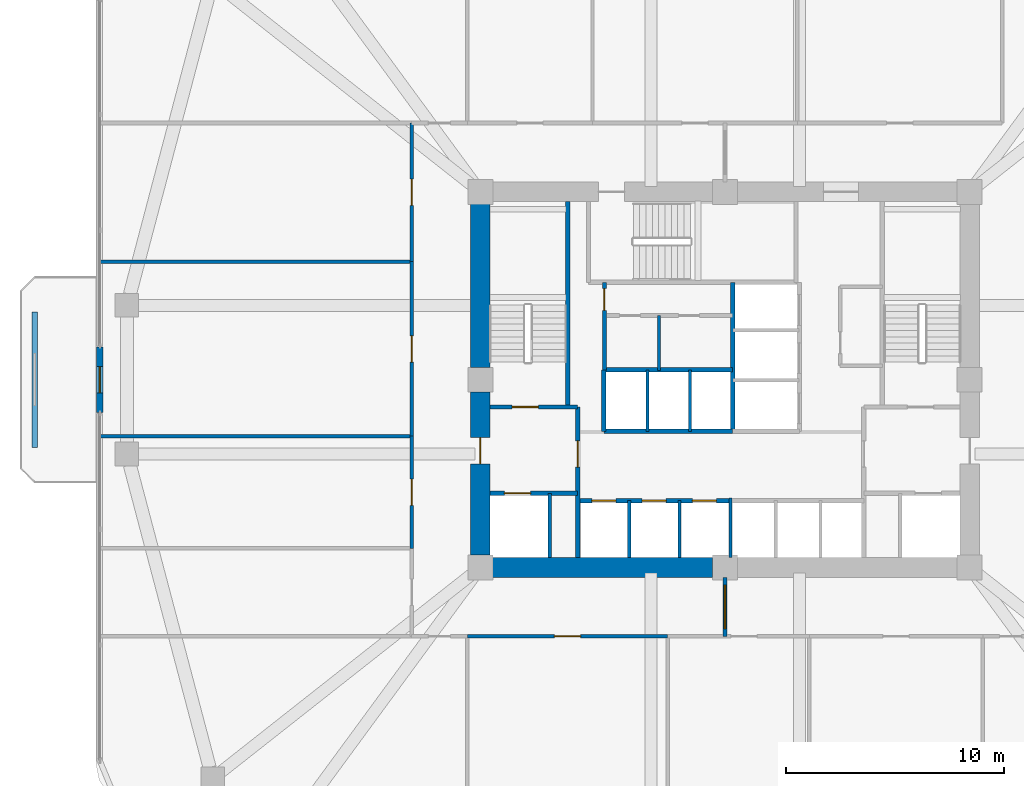
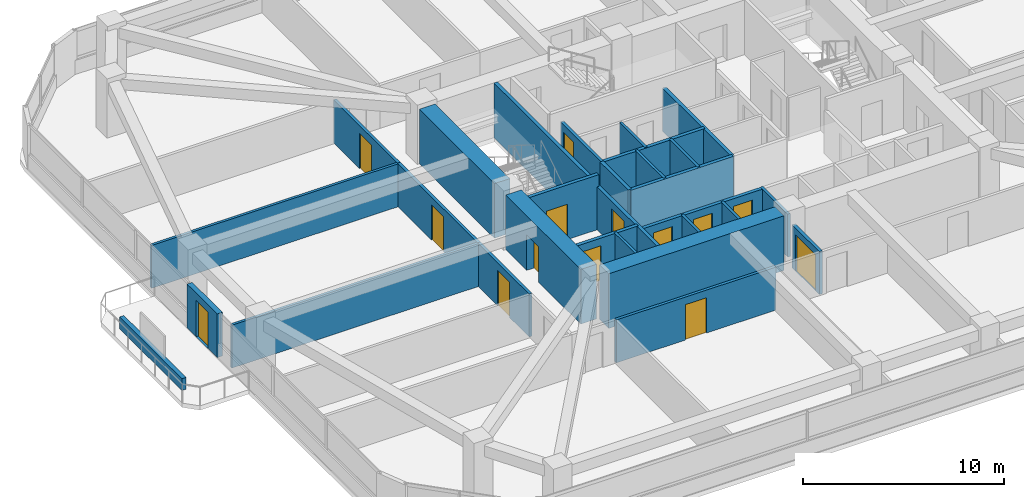
# One storey, part 10 of 15: 29 walls, 14 doors, 14 openings.
"""IFC4 building model written with IfcOpenShell, lengths in metres."""

import ifcopenshell
import ifcopenshell.guid

model = None  # the IFC model being written
_history = None  # IfcOwnerHistory: only IFC2X3 demands one
_inside = {}  # id of a spatial element -> (the spatial element, [elements in it])
_under = {}  # id of a project, library or spatial element -> (it, [spatial elements below it])
_declared = {}  # id of a project -> (the project, [libraries it declares])
_typed = {}  # id of a type object -> (the type object, [elements of that type])
_made_of = {}  # id of a material, layer set ... -> (it, [elements and type objects made of it])


def new_model(schema):
    """Start an empty IFC model of exactly this schema.

    Asked for "IFC4X3", IfcOpenShell would pick the latest addendum, in which some entities
    have other attributes; the version numbers below select the first issue.
    IFC2X3 requires an IfcOwnerHistory on every rooted entity: one is made here for all.
    """
    global model, _history
    if schema == "IFC4X3":
        model = ifcopenshell.file(schema_version=(4, 3, 0, 0))
    else:
        model = ifcopenshell.file(schema=schema)
    _inside.clear()
    _under.clear()
    _declared.clear()
    _typed.clear()
    _made_of.clear()
    _history = None
    if model.schema == "IFC2X3":
        org = make("IfcOrganization", Name="unknown")
        user = make(
            "IfcPersonAndOrganization",
            ThePerson=make("IfcPerson", FamilyName="unknown"),
            TheOrganization=org,
        )
        app = make(
            "IfcApplication",
            ApplicationDeveloper=org,
            Version="unknown",
            ApplicationFullName="unknown",
            ApplicationIdentifier="unknown",
        )
        _history = make(
            "IfcOwnerHistory",
            OwningUser=user,
            OwningApplication=app,
            ChangeAction="ADDED",
            CreationDate=0,
        )
    return model


def make(cls, **values):
    """One entity of the class cls with the attributes given. An attribute that is None is left unset."""
    return model.create_entity(
        cls, **{name: value for name, value in values.items() if value is not None}
    )


def rooted(cls, **values):
    """An entity with a GlobalId (a new one), such as an element, a storey or a relation."""
    return make(cls, GlobalId=ifcopenshell.guid.new(), OwnerHistory=_history, **values)


def si_unit(unit_type, name, prefix=None):
    """IfcSIUnit, for example si_unit("LENGTHUNIT", "METRE", prefix="MILLI")."""
    return make("IfcSIUnit", UnitType=unit_type, Prefix=prefix, Name=name)


def derived_unit(unit_type, elements):
    """IfcDerivedUnit: a product of units, each with its exponent."""
    return make(
        "IfcDerivedUnit",
        Elements=[
            make("IfcDerivedUnitElement", Unit=unit, Exponent=power)
            for unit, power in elements
        ],
        UnitType=unit_type,
    )


def assignment(units):
    """IfcUnitAssignment: the units of a project."""
    return None if units is None else make("IfcUnitAssignment", Units=units)


def point(xyz):
    """IfcCartesianPoint."""
    return None if xyz is None else make("IfcCartesianPoint", Coordinates=xyz)


def direction(xyz):
    """IfcDirection."""
    return None if xyz is None else make("IfcDirection", DirectionRatios=xyz)


def frame(location, z_axis=None, x_axis=None):
    """IfcAxis2Placement3D, a coordinate frame: its origin and axes. An axis left out is left unset."""
    return make(
        "IfcAxis2Placement3D",
        Location=point(location),
        Axis=direction(z_axis),
        RefDirection=direction(x_axis),
    )


def frame_2d(location, x_axis=None):
    """IfcAxis2Placement2D, a coordinate frame in the plane: its origin and x axis."""
    return make(
        "IfcAxis2Placement2D", Location=point(location), RefDirection=direction(x_axis)
    )


def origin():
    """The frame at (0, 0, 0) with its axes left unset."""
    return frame((0.0, 0.0, 0.0))


def place(relative_to, where):
    """IfcLocalPlacement: puts the frame where relative to a parent placement (None: the world)."""
    return make(
        "IfcLocalPlacement", PlacementRelTo=relative_to, RelativePlacement=where
    )


def context(
    kind, dimensions, precision=None, world=None, true_north=None, identifier=None
):
    """IfcGeometricRepresentationContext, for example the 3D "Model" context."""
    return make(
        "IfcGeometricRepresentationContext",
        ContextIdentifier=identifier,
        ContextType=kind,
        CoordinateSpaceDimension=dimensions,
        Precision=precision,
        WorldCoordinateSystem=world,
        TrueNorth=true_north,
    )


def subcontext(parent, identifier, kind, view, scale=None):
    """IfcGeometricRepresentationSubContext, for example "Body" below "Model"."""
    return make(
        "IfcGeometricRepresentationSubContext",
        ContextIdentifier=identifier,
        ContextType=kind,
        ParentContext=parent,
        TargetScale=scale,
        TargetView=view,
    )


def project(units=None, contexts=None):
    """IfcProject with its units and contexts."""
    return rooted(
        "IfcProject",
        Name="project",
        RepresentationContexts=contexts,
        UnitsInContext=assignment(units),
    )


def spatial(cls, under=None, at=None, **own):
    """A site, building, storey or space (cls), placed at a placement, below another one or the project."""
    s = rooted(cls, ObjectPlacement=at, **own)
    if under is not None:
        _under.setdefault(under.id(), (under, []))[1].append(s)
    return s


def profile(cls, at=None, kind="AREA", **sizes):
    """A parametric profile (cls). Its sizes go by their IFC names, for example OverallWidth=200.0."""
    return make(cls, ProfileType=kind, Position=at, **sizes)


def rectangle(**sizes):
    """IfcRectangleProfileDef."""
    return profile("IfcRectangleProfileDef", **sizes)


def extrude(swept, where, along, depth):
    """IfcExtrudedAreaSolid: the profile swept, set in the frame where, extruded along a direction by depth."""
    return make(
        "IfcExtrudedAreaSolid",
        SweptArea=swept,
        Position=where,
        ExtrudedDirection=direction(along),
        Depth=depth,
    )


def shape(context_of_items, identifier, shape_type, items):
    """IfcShapeRepresentation: the items that make up one representation, for example the "Body"."""
    return make(
        "IfcShapeRepresentation",
        ContextOfItems=context_of_items,
        RepresentationIdentifier=identifier,
        RepresentationType=shape_type,
        Items=items,
    )


def material(Name=None, Category=None):
    """IfcMaterial."""
    return make("IfcMaterial", Name=Name, Category=Category)


def layer(
    of_material, thickness, ventilated=None, Name=None, Category=None, Priority=None
):
    """IfcMaterialLayer: one layer of a wall or slab, of a material (None: an air gap)."""
    return make(
        "IfcMaterialLayer",
        Material=of_material,
        LayerThickness=thickness,
        IsVentilated=ventilated,
        Name=Name,
        Category=Category,
        Priority=Priority,
    )


def layer_set(layers, Name=None):
    """IfcMaterialLayerSet."""
    return make("IfcMaterialLayerSet", MaterialLayers=layers, LayerSetName=Name)


def made_of(thing, what):
    """Note that an element or type object is made of a material, layer set ...; save() writes the relation."""
    if what is not None:
        _made_of.setdefault(what.id(), (what, []))[1].append(thing)
    return thing


def type_object(cls, material=None, **own):
    """A type object (cls), such as IfcWallType, which elements share."""
    return made_of(rooted(cls, **own), material)


def element(
    cls,
    number,
    at=None,
    inside=None,
    cuts=None,
    type_object=None,
    material=None,
    context=None,
    identifier="Body",
    shape_type=None,
    held_by="IfcProductDefinitionShape",
    body=None,
    shapes=None,
    **own,
):
    """One element of the class cls, such as IfcWall. Its Tag is "e" and its number.

    at: its placement. inside: the storey or other place that contains it. cuts: it is an
    opening in that element (IfcRelVoidsElement). A single representation is given by context,
    identifier, shape_type and body (its items); several are given by shapes. held_by: the class
    of the entity that holds the representations. save() writes the other relations.
    """
    e = rooted(cls, Tag="e%d" % number, ObjectPlacement=at, **own)
    if body is not None:
        shapes = [shape(context, identifier, shape_type, body)]
    if shapes is not None:
        e.Representation = make(held_by, Representations=shapes)
    if inside is not None:
        _inside.setdefault(inside.id(), (inside, []))[1].append(e)
    if cuts is not None:
        rooted(
            "IfcRelVoidsElement", RelatingBuildingElement=cuts, RelatedOpeningElement=e
        )
    if type_object is not None:
        _typed.setdefault(type_object.id(), (type_object, []))[1].append(e)
    return made_of(e, material)


def fill(opening, filler):
    """IfcRelFillsElement: the door or window that sits in an opening."""
    return rooted(
        "IfcRelFillsElement",
        RelatingOpeningElement=opening,
        RelatedBuildingElement=filler,
    )


def aggregate(whole, parts):
    """IfcRelAggregates: a whole, such as a stair, and the parts it consists of."""
    return rooted("IfcRelAggregates", RelatingObject=whole, RelatedObjects=parts)


def save(model, path):
    """Write the relations noted so far, then the file.

    IfcRelAggregates (storeys below a building ...), IfcRelContainedInSpatialStructure (elements
    in a storey), IfcRelDefinesByType, IfcRelAssociatesMaterial and IfcRelDeclares: one each for
    every whole, place, type object, material and project.
    """
    for whole, parts in _under.values():
        aggregate(whole, parts)
    for where, things in _inside.values():
        rooted(
            "IfcRelContainedInSpatialStructure",
            RelatedElements=things,
            RelatingStructure=where,
        )
    for kind, things in _typed.values():
        rooted("IfcRelDefinesByType", RelatedObjects=things, RelatingType=kind)
    for what, things in _made_of.values():
        rooted("IfcRelAssociatesMaterial", RelatedObjects=things, RelatingMaterial=what)
    for by, libraries in _declared.values():
        rooted("IfcRelDeclares", RelatingContext=by, RelatedDefinitions=libraries)
    model.write(path)


model = new_model("IFC4")

# Units and contexts
model_context = context("Model", 3, precision=1e-05, world=origin(), true_north=direction((0.0, 1.0)))
body_context = subcontext(model_context, "Body", "Model", "MODEL_VIEW")
ifc_project = project(units=[si_unit("LENGTHUNIT", "METRE"), si_unit("AREAUNIT", "SQUARE_METRE"), si_unit("VOLUMEUNIT", "CUBIC_METRE"), si_unit("PLANEANGLEUNIT", "RADIAN"), si_unit("MASSUNIT", "GRAM", prefix="KILO"), derived_unit("THERMALTRANSMITTANCEUNIT", [(si_unit("POWERUNIT", "WATT"), 1), (si_unit("LENGTHUNIT", "METRE"), -2), (si_unit("THERMODYNAMICTEMPERATUREUNIT", "KELVIN"), -1)])], contexts=[model_context])

# Site, building, storey
site_placement = place(None, origin())
site = spatial("IfcSite", under=ifc_project, at=site_placement, CompositionType="ELEMENT")
building_placement = place(site_placement, origin())
building = spatial("IfcBuilding", under=site, at=building_placement, Name="Koralith Skygarden Medical Center", CompositionType="ELEMENT")
storey_placement = place(building_placement, frame((0.0, 0.0, 56.340087890625)))
storey = spatial("IfcBuildingStorey", under=building, at=storey_placement, Name="L14", CompositionType="ELEMENT", Elevation=56.340087890625)

# Walls
ifc_material_1 = material(Name="Gypsum Board Partition")
ifc_layer_1 = layer(ifc_material_1, 0.14990234375)
ifc_layer_set_1 = layer_set([ifc_layer_1], Name="Gypsum Board Partition")
wall_type_1 = type_object("IfcWallType", Name="Clinical Acoustic Partition 150", PredefinedType="PARTITIONING", material=ifc_layer_set_1)
wall_1_placement = place(storey_placement, frame((33.97998046875, 26.320068359375, 0.0), z_axis=(0.0, 0.0, 1.0), x_axis=(0.0, 1.0, 0.0)))
element("IfcWall", 1, at=wall_1_placement, inside=storey, type_object=wall_type_1, Name="L14 Clinical Acoustic Partition 150 W-CORE-L14-FLEX-V3A", PredefinedType="PARTITIONING", context=body_context, shape_type="SweptSolid", body=[
    extrude(rectangle(XDim=2.52001953125, YDim=0.14990234375, at=frame_2d((1.260009765625, 0.0))), origin(), (0.0, 0.0, 1.0), 2.60986328125),
])
for number, where, z_axis, x_axis, name in (
    (2, (22.64990234375, 23.31494140625, 0.0), (0.0, 0.0, 1.0), (-1.0, 0.0, 0.0), "L14 Clinical Acoustic Partition 150 W-PART-L14-W-02"),
    (3, (22.64990234375, 31.304931640625, 0.0), (0.0, 0.0, 1.0), (-1.0, 0.0, 0.0), "L14 Clinical Acoustic Partition 150 W-PART-L14-W-03"),
):
    element("IfcWall", number, at=place(storey_placement, frame(where, z_axis=z_axis, x_axis=x_axis)), inside=storey, type_object=wall_type_1, Name=name, PredefinedType="PARTITIONING", context=body_context, shape_type="SweptSolid", body=[
        extrude(rectangle(XDim=14.25, YDim=0.14990234375, at=frame_2d((7.125, 0.0))), origin(), (0.0, 0.0, 1.0), 2.60986328125),
    ])

# Wall, opening, door
ifc_layer_2 = layer(ifc_material_1, 0.1650390625)
ifc_layer_set_2 = layer_set([ifc_layer_2], Name="Gypsum Board Partition")
wall_type_2 = type_object("IfcWallType", Name="Clinical Corridor Partition 165", PredefinedType="PARTITIONING", material=ifc_layer_set_2)
wall_2_placement = place(storey_placement, frame((25.199951171875, 14.14990234375, 0.0), z_axis=(0.0, 0.0, 1.0), x_axis=(1.0, 0.0, 0.0)))
wall_2 = element("IfcWall", 4, at=wall_2_placement, inside=storey, type_object=wall_type_2, Name="L14 Clinical Corridor Partition 165 W-CORR-L14-S-02", PredefinedType="PARTITIONING", context=body_context, shape_type="SweptSolid", body=[
    extrude(rectangle(XDim=9.174072265625, YDim=0.1650390625, at=frame_2d((4.5869140625, 0.0))), origin(), (0.0, 0.0, 1.0), 2.60986328125),
])
opening_1_placement = place(wall_2_placement, frame((3.987060546875, 0.0, 0.0)))
opening_1 = element("IfcOpeningElement", 5, at=opening_1_placement, cuts=wall_2, Name="Opening D-CLN", PredefinedType="OPENING", context=body_context, shape_type="SweptSolid", body=[
    extrude(rectangle(XDim=1.199951171875, YDim=2.14990234375, at=frame_2d((0.60009765625, 1.074951171875))), frame((0.0, 0.092529296875, 0.0), z_axis=(0.0, -1.0, 0.0), x_axis=(1.0, 0.0, 0.0)), (0.0, 0.0, 1.0), 0.18505859375),
])
ifc_material_2 = material(Name="Aluminium 6063-T6", Category="aluminium")
door_type_1 = type_object("IfcDoorType", Name="Clinical Corridor Door D-CLN 1200", OperationType="NOTDEFINED", PredefinedType="DOOR", material=ifc_material_2)
door_1_placement = place(opening_1_placement, frame((1.199951171875, 0.0, 0.0), z_axis=(0.0, 0.0, 1.0), x_axis=(-1.0, 0.0, 0.0)))
door_1 = element("IfcDoor", 6, at=door_1_placement, inside=storey, type_object=door_type_1, Name="L14 Phlebotomy Blood Draw Room 06 Door", OperationType="SINGLE_SWING_LEFT", OverallHeight=2.14990234375, OverallWidth=1.199951171875, PredefinedType="DOOR", context=body_context, shape_type="SweptSolid", body=[
    extrude(rectangle(XDim=1.199951171875, YDim=2.14990234375, at=frame_2d((0.60009765625, 1.074951171875))), frame((0.0, 0.02490234375, 0.0), z_axis=(0.0, -1.0, 0.0), x_axis=(1.0, 0.0, 0.0)), (0.0, 0.0, 1.0), 0.050048828125),
])
fill(opening_1, door_1)

wall_3_placement = place(storey_placement, frame((22.64990234375, 18.18310546875, 0.0), z_axis=(0.0, 0.0, 1.0), x_axis=(0.0, 1.0, 0.0)))
wall_3 = element("IfcWall", 7, at=wall_3_placement, inside=storey, type_object=wall_type_2, Name="L14 Clinical Corridor Partition 165 W-CORR-L14-W-02", PredefinedType="PARTITIONING", context=body_context, shape_type="SweptSolid", body=[
    extrude(rectangle(XDim=5.1318359375, YDim=0.1650390625, at=frame_2d((2.56591796875, 0.0))), origin(), (0.0, 0.0, 1.0), 2.60986328125),
])
opening_2_placement = place(wall_3_placement, frame((1.966064453125, 0.0, 0.0)))
opening_2 = element("IfcOpeningElement", 8, at=opening_2_placement, cuts=wall_3, Name="Opening D-CLN", PredefinedType="OPENING", context=body_context, shape_type="SweptSolid", body=[
    extrude(rectangle(XDim=1.199951171875, YDim=2.14990234375, at=frame_2d((0.60009765625, 1.074951171875))), frame((0.0, 0.092529296875, 0.0), z_axis=(0.0, -1.0, 0.0), x_axis=(1.0, 0.0, 0.0)), (0.0, 0.0, 1.0), 0.18505859375),
])
door_2_placement = place(opening_2_placement, frame((1.199951171875, 0.0, 0.0), z_axis=(0.0, 0.0, 1.0), x_axis=(-1.0, 0.0, 0.0)))
door_2 = element("IfcDoor", 9, at=door_2_placement, inside=storey, type_object=door_type_1, Name="L14 Chemotherapy Prep Store 11 Door", OperationType="SINGLE_SWING_RIGHT", OverallHeight=2.14990234375, OverallWidth=1.199951171875, PredefinedType="DOOR", context=body_context, shape_type="SweptSolid", body=[
    extrude(rectangle(XDim=1.199951171875, YDim=2.14990234375, at=frame_2d((0.60009765625, 1.074951171875))), frame((0.0, 0.02490234375, 0.0), z_axis=(0.0, -1.0, 0.0), x_axis=(1.0, 0.0, 0.0)), (0.0, 0.0, 1.0), 0.050048828125),
])
fill(opening_2, door_2)

wall_4_placement = place(storey_placement, frame((22.64990234375, 23.31494140625, 0.0), z_axis=(0.0, 0.0, 1.0), x_axis=(0.0, 1.0, 0.0)))
wall_4 = element("IfcWall", 10, at=wall_4_placement, inside=storey, type_object=wall_type_2, Name="L14 Clinical Corridor Partition 165 W-CORR-L14-W-03", PredefinedType="PARTITIONING", context=body_context, shape_type="SweptSolid", body=[
    extrude(rectangle(XDim=7.989990234375, YDim=0.1650390625, at=frame_2d((3.9951171875, 0.0))), origin(), (0.0, 0.0, 1.0), 2.60986328125),
])
opening_3_placement = place(wall_4_placement, frame((3.39501953125, 0.0, 0.0)))
opening_3 = element("IfcOpeningElement", 11, at=opening_3_placement, cuts=wall_4, Name="Opening D-CLN", PredefinedType="OPENING", context=body_context, shape_type="SweptSolid", body=[
    extrude(rectangle(XDim=1.199951171875, YDim=2.14990234375, at=frame_2d((0.60009765625, 1.074951171875))), frame((0.0, 0.092529296875, 0.0), z_axis=(0.0, -1.0, 0.0), x_axis=(1.0, 0.0, 0.0)), (0.0, 0.0, 1.0), 0.18505859375),
])
door_3_placement = place(opening_3_placement, frame((1.199951171875, 0.0, 0.0), z_axis=(0.0, 0.0, 1.0), x_axis=(-1.0, 0.0, 0.0)))
door_3 = element("IfcDoor", 12, at=door_3_placement, inside=storey, type_object=door_type_1, Name="L14 Patient and Family Sky-Garden Day Lounge 12 Door", OperationType="SINGLE_SWING_LEFT", OverallHeight=2.14990234375, OverallWidth=1.199951171875, PredefinedType="DOOR", context=body_context, shape_type="SweptSolid", body=[
    extrude(rectangle(XDim=1.199951171875, YDim=2.14990234375, at=frame_2d((0.60009765625, 1.074951171875))), frame((0.0, 0.02490234375, 0.0), z_axis=(0.0, -1.0, 0.0), x_axis=(1.0, 0.0, 0.0)), (0.0, 0.0, 1.0), 0.050048828125),
])
fill(opening_3, door_3)

wall_5_placement = place(storey_placement, frame((22.64990234375, 31.304931640625, 0.0), z_axis=(0.0, 0.0, 1.0), x_axis=(0.0, 1.0, 0.0)))
wall_5 = element("IfcWall", 13, at=wall_5_placement, inside=storey, type_object=wall_type_2, Name="L14 Clinical Corridor Partition 165 W-CORR-L14-W-04", PredefinedType="PARTITIONING", context=body_context, shape_type="SweptSolid", body=[
    extrude(rectangle(XDim=6.344970703125, YDim=0.1650390625, at=frame_2d((3.17236328125, 0.0))), origin(), (0.0, 0.0, 1.0), 2.60986328125),
])
opening_4_placement = place(wall_5_placement, frame((2.572021484375, 0.0, 0.0)))
opening_4 = element("IfcOpeningElement", 14, at=opening_4_placement, cuts=wall_5, Name="Opening D-CLN", PredefinedType="OPENING", context=body_context, shape_type="SweptSolid", body=[
    extrude(rectangle(XDim=1.199951171875, YDim=2.14990234375, at=frame_2d((0.60009765625, 1.074951171875))), frame((0.0, 0.092529296875, 0.0), z_axis=(0.0, -1.0, 0.0), x_axis=(1.0, 0.0, 0.0)), (0.0, 0.0, 1.0), 0.18505859375),
])
door_4_placement = place(opening_4_placement, frame((1.199951171875, 0.0, 0.0), z_axis=(0.0, 0.0, 1.0), x_axis=(-1.0, 0.0, 0.0)))
door_4 = element("IfcDoor", 15, at=door_4_placement, inside=storey, type_object=door_type_1, Name="L14 Patient Recovery Sitting Lounge 13 Door", OperationType="SINGLE_SWING_RIGHT", OverallHeight=2.14990234375, OverallWidth=1.199951171875, PredefinedType="DOOR", context=body_context, shape_type="SweptSolid", body=[
    extrude(rectangle(XDim=1.199951171875, YDim=2.14990234375, at=frame_2d((0.60009765625, 1.074951171875))), frame((0.0, 0.02490234375, 0.0), z_axis=(0.0, -1.0, 0.0), x_axis=(1.0, 0.0, 0.0)), (0.0, 0.0, 1.0), 0.050048828125),
])
fill(opening_4, door_4)

ifc_layer_3 = layer(ifc_material_1, 0.199951171875)
ifc_layer_set_3 = layer_set([ifc_layer_3], Name="Gypsum Board Partition")
wall_type_3 = type_object("IfcWallType", Name="Fire Shaft Wall 200", PredefinedType="SOLIDWALL", material=ifc_layer_set_3)
wall_6_placement = place(storey_placement, frame((26.25, 20.699951171875, 0.0), z_axis=(0.0, 0.0, 1.0), x_axis=(1.0, 0.0, 0.0)))
wall_6 = element("IfcWall", 16, at=wall_6_placement, inside=storey, type_object=wall_type_3, Name="L14 Fire Shaft Wall 200 W-CORE-L14-FF1-N", PredefinedType="SOLIDWALL", context=body_context, shape_type="SweptSolid", body=[
    extrude(rectangle(XDim=4.0, YDim=0.199951171875, at=frame_2d((2.0, 0.0))), origin(), (0.0, 0.0, 1.0), 2.60986328125),
])
opening_5_placement = place(wall_6_placement, frame((0.64990234375, 0.0, 0.0)))
opening_5 = element("IfcOpeningElement", 17, at=opening_5_placement, cuts=wall_6, Name="Opening LD-FF", PredefinedType="OPENING", context=body_context, shape_type="SweptSolid", body=[
    extrude(rectangle(XDim=1.199951171875, YDim=2.14990234375, at=frame_2d((0.60009765625, 1.074951171875))), frame((0.0, 0.10986328125, 0.0), z_axis=(0.0, -1.0, 0.0), x_axis=(1.0, 0.0, 0.0)), (0.0, 0.0, 1.0), 0.219970703125),
])
ifc_material_3 = material(Name="Steel ASTM A500 Grade C", Category="steel")
door_type_2 = type_object("IfcDoorType", Name="Fire Lift Sliding Landing Door LD-FF 1200", OperationType="NOTDEFINED", PredefinedType="DOOR", material=ifc_material_3)
door_5_placement = place(opening_5_placement, origin())
door_5 = element("IfcDoor", 18, at=door_5_placement, inside=storey, type_object=door_type_2, Name="L14 Fire Service Elevator FF1 Landing Door", OperationType="SLIDING_TO_LEFT", OverallHeight=2.14990234375, OverallWidth=1.199951171875, PredefinedType="DOOR", context=body_context, shape_type="SweptSolid", body=[
    extrude(rectangle(XDim=1.199951171875, YDim=2.14990234375, at=frame_2d((0.60009765625, 1.074951171875))), frame((0.0, 0.02490234375, 0.0), z_axis=(0.0, -1.0, 0.0), x_axis=(1.0, 0.0, 0.0)), (0.0, 0.0, 1.0), 0.050048828125),
])
fill(opening_5, door_5)

wall_7_placement = place(storey_placement, frame((30.25, 17.75, 0.0), z_axis=(0.0, 0.0, 1.0), x_axis=(0.0, 1.0, 0.0)))
wall_7 = element("IfcWall", 19, at=wall_7_placement, inside=storey, type_object=wall_type_3, Name="L14 Fire Shaft Wall 200 W-CORE-L14-FSAEW-E", PredefinedType="SOLIDWALL", context=body_context, shape_type="SweptSolid", body=[
    extrude(rectangle(XDim=6.89990234375, YDim=0.199951171875, at=frame_2d((3.449951171875, 0.0))), origin(), (0.0, 0.0, 1.0), 2.60986328125),
])
opening_6_placement = place(wall_7_placement, frame((4.14990234375, 0.0, 0.0)))
opening_6 = element("IfcOpeningElement", 20, at=opening_6_placement, cuts=wall_7, Name="Opening D-ST60", PredefinedType="OPENING", context=body_context, shape_type="SweptSolid", body=[
    extrude(rectangle(XDim=1.199951171875, YDim=2.14990234375, at=frame_2d((0.60009765625, 1.074951171875))), frame((0.0, 0.10986328125, 0.0), z_axis=(0.0, -1.0, 0.0), x_axis=(1.0, 0.0, 0.0)), (0.0, 0.0, 1.0), 0.219970703125),
])
door_type_3 = type_object("IfcDoorType", Name="Smokeproof Stair Fire Door FD60S 1200", OperationType="NOTDEFINED", PredefinedType="DOOR", material=ifc_material_3)
door_6_placement = place(opening_6_placement, origin())
door_6 = element("IfcDoor", 21, at=door_6_placement, inside=storey, type_object=door_type_3, Name="L14 West Firefighting Lobby Inner Fire Door", OperationType="SINGLE_SWING_LEFT", OverallHeight=2.14990234375, OverallWidth=1.199951171875, PredefinedType="DOOR", context=body_context, shape_type="SweptSolid", body=[
    extrude(rectangle(XDim=1.199951171875, YDim=2.14990234375, at=frame_2d((0.60009765625, 1.074951171875))), frame((0.0, 0.02490234375, 0.0), z_axis=(0.0, -1.0, 0.0), x_axis=(1.0, 0.0, 0.0)), (0.0, 0.0, 1.0), 0.050048828125),
])
fill(opening_6, door_6)

# Wall, openings, doors
wall_8_placement = place(storey_placement, frame((30.25, 20.360107421875, 0.0), z_axis=(0.0, 0.0, 1.0), x_axis=(1.0, 0.0, 0.0)))
wall_8 = element("IfcWall", 22, at=wall_8_placement, inside=storey, type_object=wall_type_3, Name="L14 Fire Shaft Wall 200 W-CORE-L14-PL-N", PredefinedType="SOLIDWALL", context=body_context, shape_type="SweptSolid", body=[
    extrude(rectangle(XDim=7.0, YDim=0.199951171875, at=frame_2d((3.5, 0.0))), origin(), (0.0, 0.0, 1.0), 2.60986328125),
])
opening_7_placement = place(wall_8_placement, frame((0.64990234375, 0.0, 0.0)))
opening_7 = element("IfcOpeningElement", 23, at=opening_7_placement, cuts=wall_8, Name="Opening LD-P", PredefinedType="OPENING", context=body_context, shape_type="SweptSolid", body=[
    extrude(rectangle(XDim=1.10009765625, YDim=2.14990234375, at=frame_2d((0.550048828125, 1.074951171875))), frame((0.0, 0.10986328125, 0.0), z_axis=(0.0, -1.0, 0.0), x_axis=(1.0, 0.0, 0.0)), (0.0, 0.0, 1.0), 0.219970703125),
])
opening_8_placement = place(wall_8_placement, frame((2.949951171875, 0.0, 0.0)))
opening_8 = element("IfcOpeningElement", 24, at=opening_8_placement, cuts=wall_8, Name="Opening LD-P", PredefinedType="OPENING", context=body_context, shape_type="SweptSolid", body=[
    extrude(rectangle(XDim=1.10009765625, YDim=2.14990234375, at=frame_2d((0.550048828125, 1.074951171875))), frame((0.0, 0.10986328125, 0.0), z_axis=(0.0, -1.0, 0.0), x_axis=(1.0, 0.0, 0.0)), (0.0, 0.0, 1.0), 0.219970703125),
])
opening_9_placement = place(wall_8_placement, frame((5.25, 0.0, 0.0)))
opening_9 = element("IfcOpeningElement", 25, at=opening_9_placement, cuts=wall_8, Name="Opening LD-P", PredefinedType="OPENING", context=body_context, shape_type="SweptSolid", body=[
    extrude(rectangle(XDim=1.10009765625, YDim=2.14990234375, at=frame_2d((0.550048828125, 1.074951171875))), frame((0.0, 0.10986328125, 0.0), z_axis=(0.0, -1.0, 0.0), x_axis=(1.0, 0.0, 0.0)), (0.0, 0.0, 1.0), 0.219970703125),
])
door_type_4 = type_object("IfcDoorType", Name="Passenger Lift Sliding Landing Door LD-P 1100", OperationType="NOTDEFINED", PredefinedType="DOOR", material=ifc_material_3)
door_7_placement = place(opening_7_placement, origin())
door_7 = element("IfcDoor", 26, at=door_7_placement, inside=storey, type_object=door_type_4, Name="L14 Passenger Elevator PL1 Landing Door", OperationType="SLIDING_TO_LEFT", OverallHeight=2.14990234375, OverallWidth=1.10009765625, PredefinedType="DOOR", context=body_context, shape_type="SweptSolid", body=[
    extrude(rectangle(XDim=1.10009765625, YDim=2.14990234375, at=frame_2d((0.550048828125, 1.074951171875))), frame((0.0, 0.02490234375, 0.0), z_axis=(0.0, -1.0, 0.0), x_axis=(1.0, 0.0, 0.0)), (0.0, 0.0, 1.0), 0.050048828125),
])
fill(opening_7, door_7)
door_8_placement = place(opening_8_placement, origin())
door_8 = element("IfcDoor", 27, at=door_8_placement, inside=storey, type_object=door_type_4, Name="L14 Passenger Elevator PL2 Landing Door", OperationType="SLIDING_TO_LEFT", OverallHeight=2.14990234375, OverallWidth=1.10009765625, PredefinedType="DOOR", context=body_context, shape_type="SweptSolid", body=[
    extrude(rectangle(XDim=1.10009765625, YDim=2.14990234375, at=frame_2d((0.550048828125, 1.074951171875))), frame((0.0, 0.02490234375, 0.0), z_axis=(0.0, -1.0, 0.0), x_axis=(1.0, 0.0, 0.0)), (0.0, 0.0, 1.0), 0.050048828125),
])
fill(opening_8, door_8)
door_9_placement = place(opening_9_placement, origin())
door_9 = element("IfcDoor", 28, at=door_9_placement, inside=storey, type_object=door_type_4, Name="L14 Passenger Elevator PL3 Landing Door", OperationType="SLIDING_TO_LEFT", OverallHeight=2.14990234375, OverallWidth=1.10009765625, PredefinedType="DOOR", context=body_context, shape_type="SweptSolid", body=[
    extrude(rectangle(XDim=1.10009765625, YDim=2.14990234375, at=frame_2d((0.550048828125, 1.074951171875))), frame((0.0, 0.02490234375, 0.0), z_axis=(0.0, -1.0, 0.0), x_axis=(1.0, 0.0, 0.0)), (0.0, 0.0, 1.0), 0.050048828125),
])
fill(opening_9, door_9)

# Walls
for number, where, z_axis, x_axis, name in (
    (29, (31.449951171875, 23.5400390625, 0.0), (0.0, 0.0, 1.0), (1.0, 0.0, 0.0), "L14 Fire Shaft Wall 200 W-CORE-L14-PH-S"),
    (30, (31.449951171875, 26.35009765625, 0.0), (0.0, 0.0, 1.0), (1.0, 0.0, 0.0), "L14 Fire Shaft Wall 200 W-CORE-L14-PH-N"),
):
    element("IfcWall", number, at=place(storey_placement, frame(where, z_axis=z_axis, x_axis=x_axis)), inside=storey, type_object=wall_type_3, Name=name, PredefinedType="SOLIDWALL", context=body_context, shape_type="SweptSolid", body=[
        extrude(rectangle(XDim=5.900146484375, YDim=0.199951171875, at=frame_2d((2.9501953125, 0.0))), origin(), (0.0, 0.0, 1.0), 2.60986328125),
    ])
wall_9_placement = place(storey_placement, frame((31.449951171875, 23.5400390625, 0.0), z_axis=(0.0, 0.0, 1.0), x_axis=(0.0, 1.0, 0.0)))
element("IfcWall", 31, at=wall_9_placement, inside=storey, type_object=wall_type_3, Name="L14 Fire Shaft Wall 200 W-CORE-L14-PH-W", PredefinedType="SOLIDWALL", context=body_context, shape_type="SweptSolid", body=[
    extrude(rectangle(XDim=2.81005859375, YDim=0.199951171875, at=frame_2d((1.405029296875, 0.0))), origin(), (0.0, 0.0, 1.0), 2.60986328125),
])
wall_10_placement = place(storey_placement, frame((37.35009765625, 23.5400390625, 0.0), z_axis=(0.0, 0.0, 1.0), x_axis=(0.0, 1.0, 0.0)))
element("IfcWall", 32, at=wall_10_placement, inside=storey, type_object=wall_type_3, Name="L14 Fire Shaft Wall 200 W-CORE-L14-SV-W", PredefinedType="SOLIDWALL", context=body_context, shape_type="SweptSolid", body=[
    extrude(rectangle(XDim=6.820068359375, YDim=0.199951171875, at=frame_2d((3.41015625, 0.0))), origin(), (0.0, 0.0, 1.0), 2.60986328125),
])

# Wall, opening, door
ifc_layer_4 = layer(ifc_material_1, 0.179931640625)
ifc_layer_set_4 = layer_set([ifc_layer_4], Name="Gypsum Board Partition")
wall_type_4 = type_object("IfcWallType", Name="Group I-2 Smoke Barrier Wall 180", PredefinedType="PARTITIONING", material=ifc_layer_set_4)
wall_11_placement = place(storey_placement, frame((37.0, 14.14990234375, 0.0), z_axis=(0.0, 0.0, 1.0), x_axis=(0.0, 1.0, 0.0)))
wall_11 = element("IfcWall", 33, at=wall_11_placement, inside=storey, type_object=wall_type_4, Name="L14 Group I-2 Smoke Barrier Wall 180 W-SMK-L14-S", PredefinedType="PARTITIONING", context=body_context, shape_type="SweptSolid", body=[
    extrude(rectangle(XDim=2.7001953125, YDim=0.179931640625, at=frame_2d((1.35009765625, 0.0))), origin(), (0.0, 0.0, 1.0), 2.60986328125),
])
opening_10_placement = place(wall_11_placement, frame((0.35009765625, 0.0, 0.0)))
opening_10 = element("IfcOpeningElement", 34, at=opening_10_placement, cuts=wall_11, Name="Opening D-SMK", PredefinedType="OPENING", context=body_context, shape_type="SweptSolid", body=[
    extrude(rectangle(XDim=2.0, YDim=2.199951171875, at=frame_2d((1.0, 1.10009765625))), frame((0.0, 0.099853515625, 0.0), z_axis=(0.0, -1.0, 0.0), x_axis=(1.0, 0.0, 0.0)), (0.0, 0.0, 1.0), 0.199951171875),
])
door_type_5 = type_object("IfcDoorType", Name="Cross-Corridor Double Smoke Door FD60S 2000", OperationType="NOTDEFINED", PredefinedType="DOOR", material=ifc_material_3)
door_10_placement = place(opening_10_placement, frame((2.0, 0.0, 0.0), z_axis=(0.0, 0.0, 1.0), x_axis=(-1.0, 0.0, 0.0)))
door_10 = element("IfcDoor", 35, at=door_10_placement, inside=storey, type_object=door_type_5, Name="L14 S Smoke Compartment Cross-Corridor Door", OperationType="DOUBLE_DOOR_SINGLE_SWING", OverallHeight=2.199951171875, OverallWidth=2.0, PredefinedType="DOOR", context=body_context, shape_type="SweptSolid", body=[
    extrude(rectangle(XDim=2.0, YDim=2.199951171875, at=frame_2d((1.0, 1.10009765625))), frame((0.0, 0.02490234375, 0.0), z_axis=(0.0, -1.0, 0.0), x_axis=(1.0, 0.0, 0.0)), (0.0, 0.0, 1.0), 0.050048828125),
])
fill(opening_10, door_10)

# Walls
ifc_material_4 = material(Name="Concrete C70/85", Category="concrete")
ifc_layer_5 = layer(ifc_material_4, 0.89990234375)
ifc_layer_set_5 = layer_set([ifc_layer_5], Name="Concrete C70/85")
wall_type_5 = type_object("IfcWallType", Name="Lower Core Shear Wall 900", PredefinedType="SHEAR", material=ifc_layer_set_5)
wall_12_placement = place(storey_placement, frame((26.364990234375, 17.300048828125, 0.0), z_axis=(0.0, 0.0, 1.0), x_axis=(1.0, 0.0, 0.0)))
element("IfcWall", 36, at=wall_12_placement, inside=storey, type_object=wall_type_5, Name="L14 Core Shear Wall Segment 1", PredefinedType="SHEAR", context=body_context, shape_type="SweptSolid", body=[
    extrude(rectangle(XDim=10.070068359375, YDim=0.89990234375, at=frame_2d((5.03515625, 0.0))), origin(), (0.0, 0.0, 1.0), 3.31982421875),
])
wall_13_placement = place(storey_placement, frame((25.800048828125, 33.93505859375, 0.0), z_axis=(0.0, 0.0, 1.0), x_axis=(0.0, -1.0, 0.0)))
element("IfcWall", 37, at=wall_13_placement, inside=storey, type_object=wall_type_5, Name="L14 Core Shear Wall Segment 7", PredefinedType="SHEAR", context=body_context, shape_type="SweptSolid", body=[
    extrude(rectangle(XDim=7.469970703125, YDim=0.89990234375, at=frame_2d((3.73486328125, 0.0))), origin(), (0.0, 0.0, 1.0), 3.31982421875),
])

# Wall, opening, door
wall_14_placement = place(storey_placement, frame((25.800048828125, 25.3349609375, 0.0), z_axis=(0.0, 0.0, 1.0), x_axis=(0.0, -1.0, 0.0)))
wall_14 = element("IfcWall", 38, at=wall_14_placement, inside=storey, type_object=wall_type_5, Name="L14 Core Shear Wall Segment 8", PredefinedType="SHEAR", context=body_context, shape_type="SweptSolid", body=[
    extrude(rectangle(XDim=7.469970703125, YDim=0.89990234375, at=frame_2d((3.73486328125, 0.0))), origin(), (0.0, 0.0, 1.0), 3.31982421875),
])
opening_11_placement = place(wall_14_placement, frame((2.0849609375, 0.0, 0.0)))
opening_11 = element("IfcOpeningElement", 39, at=opening_11_placement, cuts=wall_14, Name="Opening D-ST60", PredefinedType="OPENING", context=body_context, shape_type="SweptSolid", body=[
    extrude(rectangle(XDim=1.199951171875, YDim=2.14990234375, at=frame_2d((0.60009765625, 1.074951171875))), frame((0.0, 0.4599609375, 0.0), z_axis=(0.0, -1.0, 0.0), x_axis=(1.0, 0.0, 0.0)), (0.0, 0.0, 1.0), 0.919921875),
])
door_11_placement = place(opening_11_placement, frame((1.199951171875, 0.0, 0.0), z_axis=(0.0, 0.0, 1.0), x_axis=(-1.0, 0.0, 0.0)))
door_11 = element("IfcDoor", 40, at=door_11_placement, inside=storey, type_object=door_type_3, Name="L14 West Corridor to Firefighting Lobby Door", OperationType="SINGLE_SWING_LEFT", OverallHeight=2.14990234375, OverallWidth=1.199951171875, PredefinedType="DOOR", context=body_context, shape_type="SweptSolid", body=[
    extrude(rectangle(XDim=1.199951171875, YDim=2.14990234375, at=frame_2d((0.60009765625, 1.074951171875))), frame((0.0, 0.02490234375, 0.0), z_axis=(0.0, -1.0, 0.0), x_axis=(1.0, 0.0, 0.0)), (0.0, 0.0, 1.0), 0.050048828125),
])
fill(opening_11, door_11)

ifc_material_5 = material(Name="Warm Oolitic Limestone Cladding", Category="masonry")
ifc_layer_6 = layer(ifc_material_5, 0.300048828125)
ifc_layer_set_6 = layer_set([ifc_layer_6], Name="Warm Oolitic Limestone Cladding")
wall_type_6 = type_object("IfcWallType", Name="Oolitic Limestone Insulated Facade Wall 300", PredefinedType="SOLIDWALL", material=ifc_layer_set_6)
wall_15_placement = place(storey_placement, frame((8.3798828125, 27.39990234375, 0.0), z_axis=(0.0, 0.0, 1.0), x_axis=(0.0, -1.0, 0.0)))
wall_15 = element("IfcWall", 41, at=wall_15_placement, inside=storey, type_object=wall_type_6, Name="L14 Terrace Portal Wall W", PredefinedType="SOLIDWALL", context=body_context, shape_type="SweptSolid", body=[
    extrude(rectangle(XDim=3.0, YDim=0.300048828125, at=frame_2d((1.5, 0.0))), origin(), (0.0, 0.0, 1.0), 2.64990234375),
])
opening_12_placement = place(wall_15_placement, frame((0.89990234375, 0.0, 0.0)))
opening_12 = element("IfcOpeningElement", 42, at=opening_12_placement, cuts=wall_15, Name="Opening D-BAL", PredefinedType="OPENING", context=body_context, shape_type="SweptSolid", body=[
    extrude(rectangle(XDim=1.199951171875, YDim=2.199951171875, at=frame_2d((0.60009765625, 1.10009765625))), frame((0.0, 0.159912109375, 0.0), z_axis=(0.0, -1.0, 0.0), x_axis=(1.0, 0.0, 0.0)), (0.0, 0.0, 1.0), 0.320068359375),
])
door_type_6 = type_object("IfcDoorType", Name="Planted Balcony Glazed Terrace Door D-BAL 1200", OperationType="NOTDEFINED", PredefinedType="DOOR", material=ifc_material_2)
door_12_placement = place(opening_12_placement, origin())
door_12 = element("IfcDoor", 43, at=door_12_placement, inside=storey, type_object=door_type_6, Name="L14 W Outdoor Terrace Access Door", OperationType="SINGLE_SWING_LEFT", OverallHeight=2.199951171875, OverallWidth=1.199951171875, PredefinedType="DOOR", context=body_context, shape_type="SweptSolid", body=[
    extrude(rectangle(XDim=1.199951171875, YDim=2.199951171875, at=frame_2d((0.60009765625, 1.10009765625))), frame((0.0, 0.02490234375, 0.0), z_axis=(0.0, -1.0, 0.0), x_axis=(1.0, 0.0, 0.0)), (0.0, 0.0, 1.0), 0.050048828125),
])
fill(opening_12, door_12)

ifc_layer_7 = layer(ifc_material_1, 0.1650390625)
ifc_layer_set_7 = layer_set([ifc_layer_7], Name="Gypsum Board Partition")
wall_type_7 = type_object("IfcWallType", Name="Plumbing Wet Wall 165", PredefinedType="PLUMBINGWALL", material=ifc_layer_set_7)
wall_16_placement = place(storey_placement, frame((31.47998046875, 26.320068359375, 0.0), z_axis=(0.0, 0.0, 1.0), x_axis=(0.0, 1.0, 0.0)))
wall_16 = element("IfcWall", 44, at=wall_16_placement, inside=storey, type_object=wall_type_7, Name="L14 Plumbing Wet Wall 165 W-CORE-L14-FLEX-W", PredefinedType="PLUMBINGWALL", context=body_context, shape_type="SweptSolid", body=[
    extrude(rectangle(XDim=4.0400390625, YDim=0.1650390625, at=frame_2d((2.02001953125, 0.0))), origin(), (0.0, 0.0, 1.0), 2.60986328125),
])
opening_13_placement = place(wall_16_placement, frame((2.75, 0.0, 0.0)))
opening_13 = element("IfcOpeningElement", 45, at=opening_13_placement, cuts=wall_16, Name="Opening D-SUP", PredefinedType="OPENING", context=body_context, shape_type="SweptSolid", body=[
    extrude(rectangle(XDim=1.0, YDim=2.14990234375, at=frame_2d((0.5, 1.074951171875))), frame((0.0, 0.092529296875, 0.0), z_axis=(0.0, -1.0, 0.0), x_axis=(1.0, 0.0, 0.0)), (0.0, 0.0, 1.0), 0.18505859375),
])
door_type_7 = type_object("IfcDoorType", Name="Clinical Support Door D-SUP 1000", OperationType="NOTDEFINED", PredefinedType="DOOR", material=ifc_material_2)
door_13_placement = place(opening_13_placement, frame((1.0, 0.0, 0.0), z_axis=(0.0, 0.0, 1.0), x_axis=(-1.0, 0.0, 0.0)))
door_13 = element("IfcDoor", 46, at=door_13_placement, inside=storey, type_object=door_type_7, Name="L14 Core Utility Alcove Door", OperationType="SINGLE_SWING_RIGHT", OverallHeight=2.14990234375, OverallWidth=1.0, PredefinedType="DOOR", context=body_context, shape_type="SweptSolid", body=[
    extrude(rectangle(XDim=1.0, YDim=2.14990234375, at=frame_2d((0.5, 1.074951171875))), frame((0.0, 0.02490234375, 0.0), z_axis=(0.0, -1.0, 0.0), x_axis=(1.0, 0.0, 0.0)), (0.0, 0.0, 1.0), 0.050048828125),
])
fill(opening_13, door_13)

# Walls
ifc_layer_8 = layer(ifc_material_1, 0.14990234375)
ifc_layer_set_8 = layer_set([ifc_layer_8], Name="Gypsum Board Partition")
wall_type_8 = type_object("IfcWallType", Name="Shaft Partition Wall 150", PredefinedType="PARTITIONING", material=ifc_layer_set_8)
wall_17_placement = place(storey_placement, frame((28.969970703125, 17.75, 0.0), z_axis=(0.0, 0.0, 1.0), x_axis=(0.0, 1.0, 0.0)))
element("IfcWall", 47, at=wall_17_placement, inside=storey, type_object=wall_type_8, Name="L14 Shaft Partition Wall 150 W-CORE-L14-RSRW-DIV", PredefinedType="PARTITIONING", context=body_context, shape_type="SweptSolid", body=[
    extrude(rectangle(XDim=2.949951171875, YDim=0.14990234375, at=frame_2d((1.47509765625, 0.0))), origin(), (0.0, 0.0, 1.0), 2.60986328125),
])
for number, where, z_axis, x_axis, name in (
    (48, (32.6201171875, 17.75, 0.0), (0.0, 0.0, 1.0), (0.0, 1.0, 0.0), "L14 Shaft Partition Wall 150 W-CORE-L14-PL-D1"),
    (49, (34.919921875, 17.75, 0.0), (0.0, 0.0, 1.0), (0.0, 1.0, 0.0), "L14 Shaft Partition Wall 150 W-CORE-L14-PL-D2"),
):
    element("IfcWall", number, at=place(storey_placement, frame(where, z_axis=z_axis, x_axis=x_axis)), inside=storey, type_object=wall_type_8, Name=name, PredefinedType="PARTITIONING", context=body_context, shape_type="SweptSolid", body=[
        extrude(rectangle(XDim=2.610107421875, YDim=0.14990234375, at=frame_2d((1.30517578125, 0.0))), origin(), (0.0, 0.0, 1.0), 2.60986328125),
    ])
wall_18_placement = place(storey_placement, frame((37.25, 17.75, 0.0), z_axis=(0.0, 0.0, 1.0), x_axis=(0.0, 1.0, 0.0)))
element("IfcWall", 50, at=wall_18_placement, inside=storey, type_object=wall_type_8, Name="L14 Shaft Partition Wall 150 W-CORE-L14-PL-PM-SEP", PredefinedType="PARTITIONING", context=body_context, shape_type="SweptSolid", body=[
    extrude(rectangle(XDim=2.72998046875, YDim=0.14990234375, at=frame_2d((1.364990234375, 0.0))), origin(), (0.0, 0.0, 1.0), 2.60986328125),
])
for number, where, z_axis, x_axis, name in (
    (51, (33.449951171875, 23.5400390625, 0.0), (0.0, 0.0, 1.0), (0.0, 1.0, 0.0), "L14 Shaft Partition Wall 150 W-CORE-L14-PH-D1"),
    (52, (35.39990234375, 23.5400390625, 0.0), (0.0, 0.0, 1.0), (0.0, 1.0, 0.0), "L14 Shaft Partition Wall 150 W-CORE-L14-PH-D2"),
):
    element("IfcWall", number, at=place(storey_placement, frame(where, z_axis=z_axis, x_axis=x_axis)), inside=storey, type_object=wall_type_8, Name=name, PredefinedType="PARTITIONING", context=body_context, shape_type="SweptSolid", body=[
        extrude(rectangle(XDim=2.81005859375, YDim=0.14990234375, at=frame_2d((1.405029296875, 0.0))), origin(), (0.0, 0.0, 1.0), 2.60986328125),
    ])
ifc_material_6 = material(Name="Precast concrete C40/50", Category="concrete")
ifc_layer_9 = layer(ifc_material_6, 0.25)
ifc_layer_set_9 = layer_set([ifc_layer_9], Name="Precast concrete C40/50")
wall_type_9 = type_object("IfcWallType", Name="Structural Concrete Balcony Planter Kerb 250", PredefinedType="PARAPET", material=ifc_layer_set_9)
wall_19_placement = place(storey_placement, frame((5.39990234375, 22.800048828125, 0.0), z_axis=(0.0, 0.0, 1.0), x_axis=(0.0, 1.0, 0.0)))
element("IfcWall", 53, at=wall_19_placement, inside=storey, type_object=wall_type_9, Name="L14 W Structural Tree PLANTER Box", PredefinedType="PARAPET", context=body_context, shape_type="SweptSolid", body=[
    extrude(rectangle(XDim=6.199951171875, YDim=0.25, at=frame_2d((3.10009765625, 0.0))), origin(), (0.0, 0.0, 1.0), 0.719970703125),
])
ifc_material_7 = material(Name="Concrete C45/55", Category="concrete")
ifc_layer_10 = layer(ifc_material_7, 0.199951171875)
ifc_layer_set_10 = layer_set([ifc_layer_10], Name="Concrete C45/55")
wall_type_10 = type_object("IfcWallType", Name="Structural Stair Shaft Wall 200", PredefinedType="SHEAR", material=ifc_layer_set_10)
wall_20_placement = place(storey_placement, frame((29.800048828125, 24.64990234375, 0.0), z_axis=(0.0, 0.0, 1.0), x_axis=(0.0, 1.0, 0.0)))
element("IfcWall", 54, at=wall_20_placement, inside=storey, type_object=wall_type_10, Name="L14 Structural Stair Shaft Wall 200 W-CORE-L14-ST1-E", PredefinedType="SHEAR", context=body_context, shape_type="SweptSolid", body=[
    extrude(rectangle(XDim=9.400146484375, YDim=0.199951171875, at=frame_2d((4.7001953125, 0.0))), origin(), (0.0, 0.0, 1.0), 3.31982421875),
])

# Wall, opening, door
wall_21_placement = place(storey_placement, frame((26.25, 24.64990234375, 0.0), z_axis=(0.0, 0.0, 1.0), x_axis=(1.0, 0.0, 0.0)))
wall_21 = element("IfcWall", 55, at=wall_21_placement, inside=storey, type_object=wall_type_10, Name="L14 Structural Stair Shaft Wall 200 W-CORE-L14-ST1-S", PredefinedType="SHEAR", context=body_context, shape_type="SweptSolid", body=[
    extrude(rectangle(XDim=4.0, YDim=0.199951171875, at=frame_2d((2.0, 0.0))), origin(), (0.0, 0.0, 1.0), 3.31982421875),
])
opening_14_placement = place(wall_21_placement, frame((1.0, 0.0, 0.0)))
opening_14 = element("IfcOpeningElement", 56, at=opening_14_placement, cuts=wall_21, Name="Opening D-ST60", PredefinedType="OPENING", context=body_context, shape_type="SweptSolid", body=[
    extrude(rectangle(XDim=1.199951171875, YDim=2.14990234375, at=frame_2d((0.60009765625, 1.074951171875))), frame((0.0, 0.10986328125, 0.0), z_axis=(0.0, -1.0, 0.0), x_axis=(1.0, 0.0, 0.0)), (0.0, 0.0, 1.0), 0.219970703125),
])
door_14_placement = place(opening_14_placement, origin())
door_14 = element("IfcDoor", 57, at=door_14_placement, inside=storey, type_object=door_type_3, Name="L14 Exit Stair ST1 Fire Door", OperationType="SINGLE_SWING_LEFT", OverallHeight=2.14990234375, OverallWidth=1.199951171875, PredefinedType="DOOR", context=body_context, shape_type="SweptSolid", body=[
    extrude(rectangle(XDim=1.199951171875, YDim=2.14990234375, at=frame_2d((0.60009765625, 1.074951171875))), frame((0.0, 0.02490234375, 0.0), z_axis=(0.0, -1.0, 0.0), x_axis=(1.0, 0.0, 0.0)), (0.0, 0.0, 1.0), 0.050048828125),
])
fill(opening_14, door_14)

save(model, "model.ifc")
